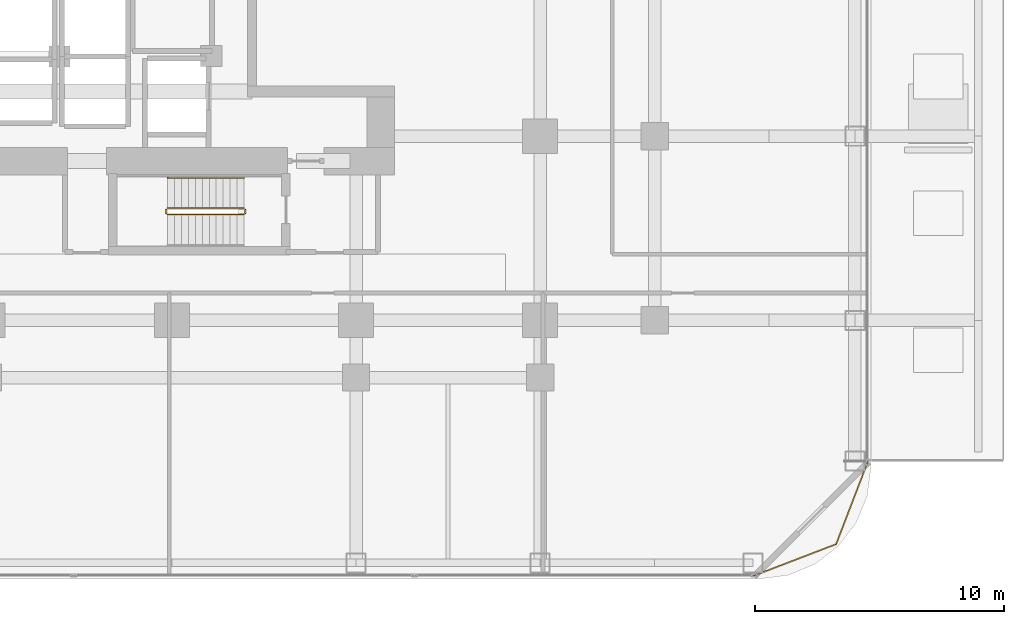
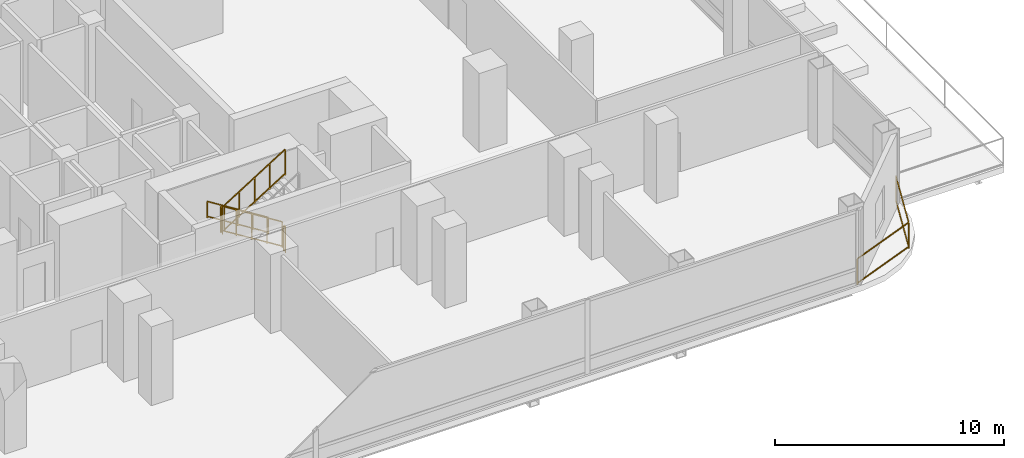
# One storey, part 27 of 29: 6 railings.
"""IFC4 building model written with IfcOpenShell, lengths in metres."""

from ifc_helpers import new_model, si_unit, direction, frame, origin, origin_2d, place, context, subcontext, project, spatial, rectangle, extrude, material, type_object, element, save


model = new_model("IFC4")

# Units and contexts
model_context = context("Model", 3, precision=1e-05, world=origin(), true_north=direction((0.0, 1.0)))
body_context = subcontext(model_context, "Body", "Model", "MODEL_VIEW")
ifc_project = project(units=[si_unit("LENGTHUNIT", "METRE"), si_unit("AREAUNIT", "SQUARE_METRE"), si_unit("VOLUMEUNIT", "CUBIC_METRE"), si_unit("PLANEANGLEUNIT", "RADIAN"), si_unit("MASSUNIT", "GRAM", prefix="KILO")], contexts=[model_context])

# Site, building, storey
site_placement = place(None, origin())
site = spatial("IfcSite", under=ifc_project, at=site_placement, CompositionType="ELEMENT")
building_placement = place(site_placement, origin())
building = spatial("IfcBuilding", under=site, at=building_placement, Name="Khorvyn Point Tower", CompositionType="ELEMENT")
storey_placement = place(building_placement, frame((0.0, 0.0, 26.39990234375)))
storey = spatial("IfcBuildingStorey", under=building, at=storey_placement, Name="L07", CompositionType="ELEMENT", Elevation=26.39990234375)

# Railings
ifc_material_1 = material(Name="Anodised aluminium 6063-T6 and laminated safety glass", Category="aluminium")
railing_type_1 = type_object("IfcRailingType", Name="Laminated Glass and Aluminium Balcony Guardrail 1400", PredefinedType="BALUSTRADE", material=ifc_material_1)
railing_1_placement = place(storey_placement, frame((23.370849609375, -25.073974609375, 0.0)))
element("IfcRailing", 1, at=railing_1_placement, inside=storey, type_object=railing_type_1, Name="L07 Rounded Corner Edge Guardrail SE", PredefinedType="BALUSTRADE", context=body_context, shape_type="SweptSolid", body=[
    extrude(rectangle(XDim=0.048095703125, YDim=0.048095703125, at=origin_2d()), frame((0.0, 0.0, 1.3759765625), z_axis=(0.933575007025, 0.358382067435, 0.0), x_axis=(-0.358382067435, 0.933575007025, 0.0)), (0.0, 0.0, 1.0), 3.562744140625),
    extrude(rectangle(XDim=0.048095703125, YDim=0.048095703125, at=origin_2d()), frame((0.0, 0.0, 0.080078125), z_axis=(0.933575007025, 0.358382067435, 0.0), x_axis=(-0.358382067435, 0.933575007025, 0.0)), (0.0, 0.0, 1.0), 3.562744140625),
    extrude(rectangle(XDim=0.048095703125, YDim=0.048095703125, at=origin_2d()), frame((3.326171875, 1.27685546875, 1.3759765625), z_axis=(0.35841886047, 0.933560882031, 0.0), x_axis=(-0.933560882031, 0.35841886047, 0.0)), (0.0, 0.0, 1.0), 3.563232421875),
    extrude(rectangle(XDim=0.048095703125, YDim=0.048095703125, at=origin_2d()), frame((3.326171875, 1.27685546875, 0.080078125), z_axis=(0.35841886047, 0.933560882031, 0.0), x_axis=(-0.933560882031, 0.35841886047, 0.0)), (0.0, 0.0, 1.0), 3.563232421875),
    extrude(rectangle(XDim=0.0419921875, YDim=0.0419921875, at=origin_2d()), origin(), (0.0, 0.0, 1.0), 1.351806640625),
    extrude(rectangle(XDim=0.0419921875, YDim=0.0419921875, at=origin_2d()), frame((3.326171875, 1.27685546875, 0.0)), (0.0, 0.0, 1.0), 1.351806640625),
    extrude(rectangle(XDim=0.0419921875, YDim=0.0419921875, at=origin_2d()), frame((4.603271484375, 4.603271484375, 0.0)), (0.0, 0.0, 1.0), 1.351806640625),
])
ifc_material_2 = material(Name="Stainless steel 1.4301", Category="steel")
railing_type_2 = type_object("IfcRailingType", Name="Stainless Steel 304 Stair Pitch Handrail 900", PredefinedType="HANDRAIL", material=ifc_material_2)
railing_2_placement = place(storey_placement, frame((2.89990234375, -9.070068359375, 0.175048828125)))
element("IfcRailing", 2, at=railing_2_placement, inside=storey, type_object=railing_type_2, Name="L07 ST-01 stair handrail 1", PredefinedType="HANDRAIL", context=body_context, shape_type="SweptSolid", body=[
    extrude(rectangle(XDim=0.048095703125, YDim=0.048095703125, at=origin_2d()), frame((0.0, 0.0, 0.8759765625), z_axis=(-0.847979421464, 0.0, 0.530029150871), x_axis=(0.0, -1.0, 0.0)), (0.0, 0.0, 1.0), 3.632080078125),
    extrude(rectangle(XDim=0.048095703125, YDim=0.048095703125, at=origin_2d()), frame((0.0, 0.0, 0.080078125), z_axis=(-0.847979421464, 0.0, 0.530029150871), x_axis=(0.0, -1.0, 0.0)), (0.0, 0.0, 1.0), 3.632080078125),
    extrude(rectangle(XDim=0.0419921875, YDim=0.0419921875, at=origin_2d()), origin(), (0.0, 0.0, 1.0), 0.851806640625),
    extrude(rectangle(XDim=0.0419921875, YDim=0.0419921875, at=origin_2d()), frame((-0.77001953125, 0.0, 0.481201171875)), (0.0, 0.0, 1.0), 0.851806640625),
    extrude(rectangle(XDim=0.0419921875, YDim=0.0419921875, at=origin_2d()), frame((-1.5400390625, 0.0, 0.96240234375)), (0.0, 0.0, 1.0), 0.851806640625),
    extrude(rectangle(XDim=0.0419921875, YDim=0.0419921875, at=origin_2d()), frame((-2.309814453125, 0.0, 1.44384765625)), (0.0, 0.0, 1.0), 0.851806640625),
    extrude(rectangle(XDim=0.0419921875, YDim=0.0419921875, at=origin_2d()), frame((-3.079833984375, 0.0, 1.925048828125)), (0.0, 0.0, 1.0), 0.851806640625),
])
railing_type_3 = type_object("IfcRailingType", Name="Stainless Steel 304 Stair Well Guardrail 1400", PredefinedType="GUARDRAIL", material=ifc_material_2)
railing_3_placement = place(storey_placement, frame((2.89990234375, -10.2900390625, 0.175048828125)))
element("IfcRailing", 3, at=railing_3_placement, inside=storey, type_object=railing_type_3, Name="L07 ST-01 stair guard 1", PredefinedType="GUARDRAIL", context=body_context, shape_type="SweptSolid", body=[
    extrude(rectangle(XDim=0.048095703125, YDim=0.048095703125, at=origin_2d()), frame((0.0, 0.0, 1.3759765625), z_axis=(-0.847979421464, 0.0, 0.530029150871), x_axis=(0.0, -1.0, 0.0)), (0.0, 0.0, 1.0), 3.632080078125),
    extrude(rectangle(XDim=0.048095703125, YDim=0.048095703125, at=origin_2d()), frame((0.0, 0.0, 0.080078125), z_axis=(-0.847979421464, 0.0, 0.530029150871), x_axis=(0.0, -1.0, 0.0)), (0.0, 0.0, 1.0), 3.632080078125),
    extrude(rectangle(XDim=0.0419921875, YDim=0.0419921875, at=origin_2d()), origin(), (0.0, 0.0, 1.0), 1.351806640625),
    extrude(rectangle(XDim=0.0419921875, YDim=0.0419921875, at=origin_2d()), frame((-0.77001953125, 0.0, 0.481201171875)), (0.0, 0.0, 1.0), 1.351806640625),
    extrude(rectangle(XDim=0.0419921875, YDim=0.0419921875, at=origin_2d()), frame((-1.5400390625, 0.0, 0.96240234375)), (0.0, 0.0, 1.0), 1.351806640625),
    extrude(rectangle(XDim=0.0419921875, YDim=0.0419921875, at=origin_2d()), frame((-2.309814453125, 0.0, 1.44384765625)), (0.0, 0.0, 1.0), 1.351806640625),
    extrude(rectangle(XDim=0.0419921875, YDim=0.0419921875, at=origin_2d()), frame((-3.079833984375, 0.0, 1.925048828125)), (0.0, 0.0, 1.0), 1.351806640625),
])
railing_4_placement = place(storey_placement, frame((-0.22998046875, -10.340087890625, 2.10009765625)))
element("IfcRailing", 4, at=railing_4_placement, inside=storey, type_object=railing_type_3, Name="L07 ST-01 stair guard 2", PredefinedType="GUARDRAIL", context=body_context, shape_type="SweptSolid", body=[
    extrude(rectangle(XDim=0.048095703125, YDim=0.048095703125, at=origin_2d()), frame((0.0, 0.0, 1.3759765625), z_axis=(0.0, -1.0, 0.0), x_axis=(1.0, 0.0, 0.0)), (0.0, 0.0, 1.0), 0.159912109375),
    extrude(rectangle(XDim=0.048095703125, YDim=0.048095703125, at=origin_2d()), frame((0.0, 0.0, 0.080078125), z_axis=(0.0, -1.0, 0.0), x_axis=(1.0, 0.0, 0.0)), (0.0, 0.0, 1.0), 0.159912109375),
    extrude(rectangle(XDim=0.0419921875, YDim=0.0419921875, at=origin_2d()), origin(), (0.0, 0.0, 1.0), 1.351806640625),
    extrude(rectangle(XDim=0.0419921875, YDim=0.0419921875, at=origin_2d()), frame((0.0, -0.159912109375, 0.0)), (0.0, 0.0, 1.0), 1.351806640625),
])
railing_5_placement = place(storey_placement, frame((-0.179931640625, -10.550048828125, 2.275146484375)))
element("IfcRailing", 5, at=railing_5_placement, inside=storey, type_object=railing_type_3, Name="L07 ST-01 stair guard 3", PredefinedType="GUARDRAIL", context=body_context, shape_type="SweptSolid", body=[
    extrude(rectangle(XDim=0.048095703125, YDim=0.048095703125, at=origin_2d()), frame((0.0, 0.0, 1.3759765625), z_axis=(0.847979421464, 0.0, 0.530029150871), x_axis=(0.0, 1.0, 0.0)), (0.0, 0.0, 1.0), 3.632080078125),
    extrude(rectangle(XDim=0.048095703125, YDim=0.048095703125, at=origin_2d()), frame((0.0, 0.0, 0.080078125), z_axis=(0.847979421464, 0.0, 0.530029150871), x_axis=(0.0, 1.0, 0.0)), (0.0, 0.0, 1.0), 3.632080078125),
    extrude(rectangle(XDim=0.0419921875, YDim=0.0419921875, at=origin_2d()), origin(), (0.0, 0.0, 1.0), 1.351806640625),
    extrude(rectangle(XDim=0.0419921875, YDim=0.0419921875, at=origin_2d()), frame((0.77001953125, 0.0, 0.481201171875)), (0.0, 0.0, 1.0), 1.351806640625),
    extrude(rectangle(XDim=0.0419921875, YDim=0.0419921875, at=origin_2d()), frame((1.5400390625, 0.0, 0.96240234375)), (0.0, 0.0, 1.0), 1.351806640625),
    extrude(rectangle(XDim=0.0419921875, YDim=0.0419921875, at=origin_2d()), frame((2.309814453125, 0.0, 1.44384765625)), (0.0, 0.0, 1.0), 1.351806640625),
    extrude(rectangle(XDim=0.0419921875, YDim=0.0419921875, at=origin_2d()), frame((3.079833984375, 0.0, 1.925048828125)), (0.0, 0.0, 1.0), 1.351806640625),
])
railing_6_placement = place(storey_placement, frame((2.949951171875, -10.340087890625, 0.0)))
element("IfcRailing", 6, at=railing_6_placement, inside=storey, type_object=railing_type_3, Name="L07 ST-01 stair guard 4", PredefinedType="GUARDRAIL", context=body_context, shape_type="SweptSolid", body=[
    extrude(rectangle(XDim=0.048095703125, YDim=0.048095703125, at=origin_2d()), frame((0.0, 0.0, 1.3759765625), z_axis=(0.0, -1.0, 0.0), x_axis=(1.0, 0.0, 0.0)), (0.0, 0.0, 1.0), 0.159912109375),
    extrude(rectangle(XDim=0.048095703125, YDim=0.048095703125, at=origin_2d()), frame((0.0, 0.0, 0.080078125), z_axis=(0.0, -1.0, 0.0), x_axis=(1.0, 0.0, 0.0)), (0.0, 0.0, 1.0), 0.159912109375),
    extrude(rectangle(XDim=0.0419921875, YDim=0.0419921875, at=origin_2d()), origin(), (0.0, 0.0, 1.0), 1.351806640625),
    extrude(rectangle(XDim=0.0419921875, YDim=0.0419921875, at=origin_2d()), frame((0.0, -0.159912109375, 0.0)), (0.0, 0.0, 1.0), 1.351806640625),
])

save(model, "model.ifc")
